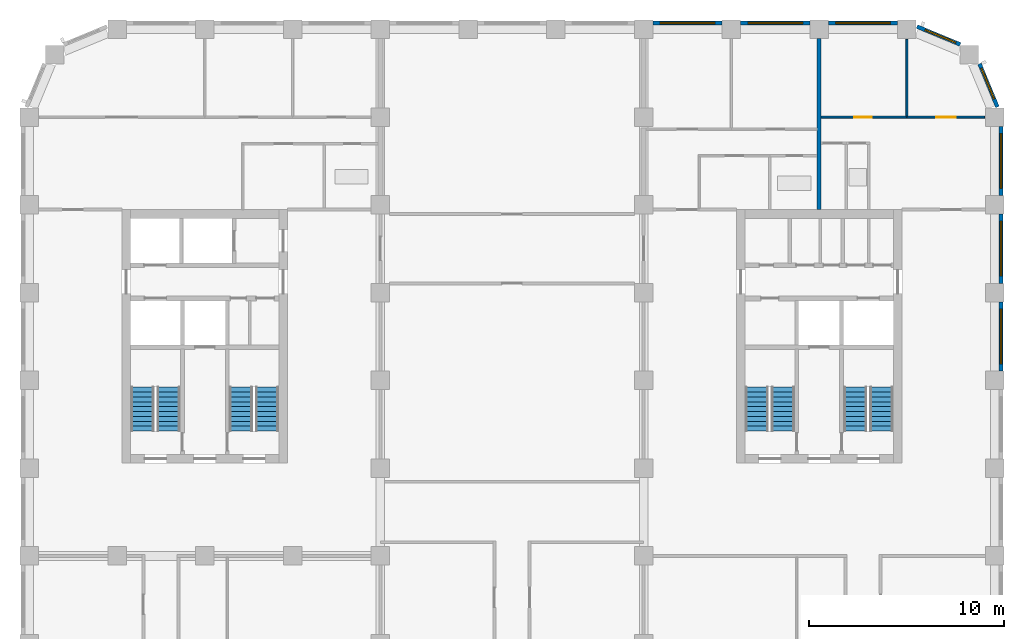
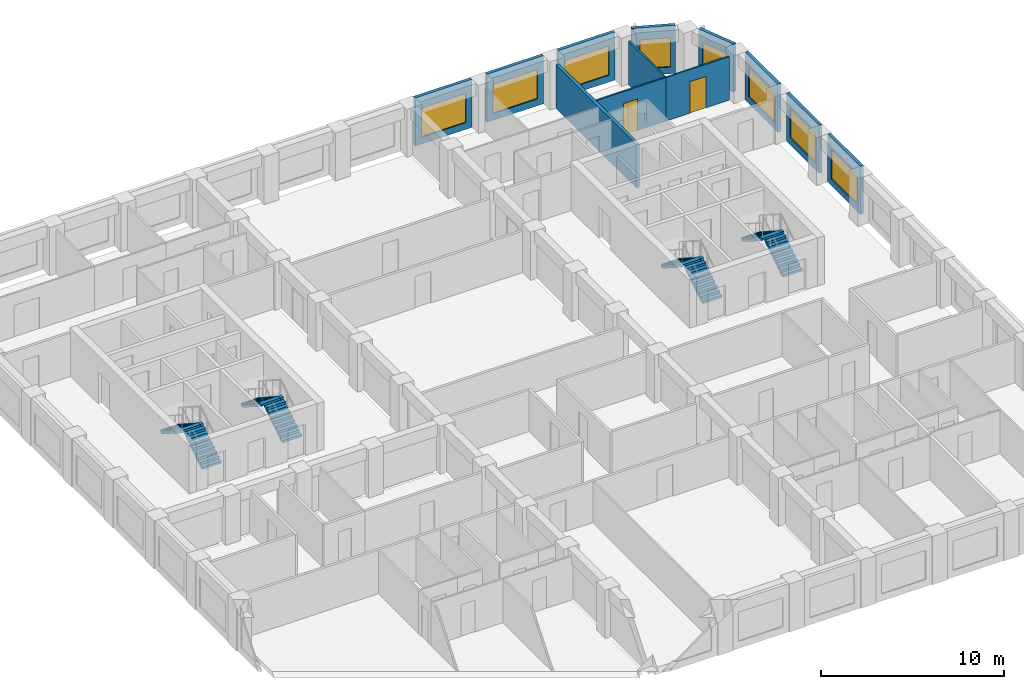
# One storey, part 9 of 12: 12 walls, 8 stair flights, 8 windows, 2 doors, 10 openings, 4 elements without a shape of their own.
"""IFC4 building model written with IfcOpenShell, lengths in metres."""

from ifc_helpers import new_model, si_unit, direction, frame, frame_2d, origin, place, context, subcontext, project, spatial, polyline, rectangle, outline, extrude, material, layer, layer_set, type_object, element, fill, aggregate, save


model = new_model("IFC4")

# Units and contexts
model_context = context("Model", 3, precision=1e-05, world=origin(), true_north=direction((0.0, 1.0)))
body_context = subcontext(model_context, "Body", "Model", "MODEL_VIEW")
ifc_project = project(units=[si_unit("LENGTHUNIT", "METRE"), si_unit("AREAUNIT", "SQUARE_METRE"), si_unit("VOLUMEUNIT", "CUBIC_METRE"), si_unit("PLANEANGLEUNIT", "RADIAN"), si_unit("MASSUNIT", "GRAM", prefix="KILO")], contexts=[model_context])

# Site, building, storey
site_placement = place(None, origin())
site = spatial("IfcSite", under=ifc_project, at=site_placement, CompositionType="ELEMENT")
building_placement = place(site_placement, origin())
building = spatial("IfcBuilding", under=site, at=building_placement, Name="Girih Gate Residences", CompositionType="ELEMENT")
storey_placement = place(building_placement, frame((0.0, 0.0, 139.800048828125)))
storey = spatial("IfcBuildingStorey", under=building, at=storey_placement, Name="L39", CompositionType="ELEMENT", Elevation=139.800048828125)

# Wall, opening, door
ifc_material_1 = material(Name="Gypsum board on steel studs", Category="steel")
ifc_layer_1 = layer(ifc_material_1, 0.10009765625)
ifc_layer_set_1 = layer_set([ifc_layer_1], Name="Partition 100 mm")
wall_type_1 = type_object("IfcWallType", Name="Partition 100 mm", PredefinedType="PARTITIONING", material=ifc_layer_set_1)
wall_1_placement = place(storey_placement, frame((40.60009765625, 45.0, 0.0), z_axis=(0.0, 0.0, 1.0), x_axis=(1.0, 0.0, 0.0)))
wall_1 = element("IfcWall", 1, at=wall_1_placement, inside=storey, type_object=wall_type_1, Name="L39 partition", PredefinedType="PARTITIONING", context=body_context, shape_type="SweptSolid", body=[
    extrude(rectangle(XDim=4.39990234375, YDim=0.10009765625, at=frame_2d((2.199951171875, 0.0))), origin(), (0.0, 0.0, 1.0), 2.89990234375),
])
opening_1_placement = place(wall_1_placement, frame((1.699951171875, 0.0, 0.0)))
opening_1 = element("IfcOpeningElement", 2, at=opening_1_placement, cuts=wall_1, Name="Opening A39-029", PredefinedType="OPENING", context=body_context, shape_type="SweptSolid", body=[
    extrude(rectangle(XDim=0.89990234375, YDim=2.10009765625, at=frame_2d((0.449951171875, 1.050048828125))), frame((0.0, 0.06005859375, 0.0), z_axis=(0.0, -1.0, 0.0), x_axis=(1.0, 0.0, 0.0)), (0.0, 0.0, 1.0), 0.1201171875),
])
ifc_material_2 = material(Name="Timber", Category="wood")
door_type_1 = type_object("IfcDoorType", Name="Bedroom door 900x2100", OperationType="NOTDEFINED", PredefinedType="DOOR", material=ifc_material_2)
door_1_placement = place(opening_1_placement, origin())
door_1 = element("IfcDoor", 3, at=door_1_placement, inside=storey, type_object=door_type_1, Name="Door A39-029", OperationType="SINGLE_SWING_LEFT", OverallHeight=2.10009765625, OverallWidth=0.89990234375, PredefinedType="DOOR", context=body_context, shape_type="SweptSolid", body=[
    extrude(rectangle(XDim=0.89990234375, YDim=2.10009765625, at=frame_2d((0.449951171875, 1.050048828125))), frame((0.0, 0.02490234375, 0.0), z_axis=(0.0, -1.0, 0.0), x_axis=(1.0, 0.0, 0.0)), (0.0, 0.0, 1.0), 0.050048828125),
])
fill(opening_1, door_1)

# Wall
wall_2_placement = place(storey_placement, frame((45.0, 45.050048828125, 0.0), z_axis=(0.0, 0.0, 1.0), x_axis=(0.0, 1.0, 0.0)))
element("IfcWall", 4, at=wall_2_placement, inside=storey, type_object=wall_type_1, Name="L39 partition", PredefinedType="PARTITIONING", context=body_context, shape_type="SweptSolid", body=[
    extrude(rectangle(XDim=3.935791015625, YDim=0.10009765625, at=frame_2d((1.9677734375, 0.0))), origin(), (0.0, 0.0, 1.0), 2.89990234375),
])

# Wall, opening, door
wall_3_placement = place(storey_placement, frame((45.0, 45.0, 0.0), z_axis=(0.0, 0.0, 1.0), x_axis=(1.0, 0.0, 0.0)))
wall_3 = element("IfcWall", 5, at=wall_3_placement, inside=storey, type_object=wall_type_1, Name="L39 partition", PredefinedType="PARTITIONING", context=body_context, shape_type="SweptSolid", body=[
    extrude(rectangle(XDim=3.98583984375, YDim=0.10009765625, at=frame_2d((1.992919921875, 0.0))), origin(), (0.0, 0.0, 1.0), 2.89990234375),
])
opening_2_placement = place(wall_3_placement, frame((1.512451171875, 0.0, 0.0)))
opening_2 = element("IfcOpeningElement", 6, at=opening_2_placement, cuts=wall_3, Name="Opening A39-031", PredefinedType="OPENING", context=body_context, shape_type="SweptSolid", body=[
    extrude(rectangle(XDim=1.0, YDim=2.10009765625, at=frame_2d((0.5, 1.050048828125))), frame((0.0, 0.06005859375, 0.0), z_axis=(0.0, -1.0, 0.0), x_axis=(1.0, 0.0, 0.0)), (0.0, 0.0, 1.0), 0.1201171875),
])
door_type_2 = type_object("IfcDoorType", Name="Living room door 1000x2100", OperationType="NOTDEFINED", PredefinedType="DOOR", material=ifc_material_2)
door_2_placement = place(opening_2_placement, origin())
door_2 = element("IfcDoor", 7, at=door_2_placement, inside=storey, type_object=door_type_2, Name="Door A39-031", OperationType="SINGLE_SWING_RIGHT", OverallHeight=2.10009765625, OverallWidth=1.0, PredefinedType="DOOR", context=body_context, shape_type="SweptSolid", body=[
    extrude(rectangle(XDim=1.0, YDim=2.10009765625, at=frame_2d((0.5, 1.050048828125))), frame((0.0, 0.02490234375, 0.0), z_axis=(0.0, -1.0, 0.0), x_axis=(1.0, 0.0, 0.0)), (0.0, 0.0, 1.0), 0.050048828125),
])
fill(opening_2, door_2)

# Wall
ifc_layer_2 = layer(ifc_material_1, 0.199951171875)
ifc_layer_set_2 = layer_set([ifc_layer_2], Name="Party wall 200 mm")
wall_type_2 = type_object("IfcWallType", Name="Party wall 200 mm", PredefinedType="PARTITIONING", material=ifc_layer_set_2)
wall_4_placement = place(storey_placement, frame((40.5, 40.25, 0.0), z_axis=(0.0, 0.0, 1.0), x_axis=(0.0, 1.0, 0.0)))
element("IfcWall", 8, at=wall_4_placement, inside=storey, type_object=wall_type_2, Name="L39 partition", PredefinedType="PARTITIONING", context=body_context, shape_type="SweptSolid", body=[
    extrude(rectangle(XDim=8.77490234375, YDim=0.199951171875, at=frame_2d((4.387451171875, 0.0))), origin(), (0.0, 0.0, 1.0), 2.89990234375),
])

# Wall, opening, window
ifc_material_3 = material(Name="Precast concrete C50/60", Category="concrete")
ifc_layer_3 = layer(ifc_material_3, 0.06005859375, Name="Outer leaf")
ifc_material_4 = material(Name="Rigid PIR insulation")
ifc_layer_4 = layer(ifc_material_4, 0.090087890625, Name="Insulation")
ifc_material_5 = material(Name="Precast concrete C40/50", Category="concrete")
ifc_layer_5 = layer(ifc_material_5, 0.050048828125, Name="Inner leaf")
ifc_layer_set_3 = layer_set([ifc_layer_3, ifc_layer_4, ifc_layer_5], Name="Precast concrete C50/60 external wall 200")
wall_type_3 = type_object("IfcWallType", Name="Precast concrete C50/60 external wall 200", PredefinedType="SOLIDWALL", material=ifc_layer_set_3)
wall_5_placement = place(storey_placement, frame((49.824951171875, 35.52490234375, 0.0), z_axis=(0.0, 0.0, 1.0), x_axis=(0.0, -1.0, 0.0)))
wall_5 = element("IfcWall", 9, at=wall_5_placement, inside=storey, type_object=wall_type_3, Name="External wall E0495_0045.6", PredefinedType="SOLIDWALL", context=body_context, shape_type="SweptSolid", body=[
    extrude(rectangle(XDim=3.5498046875, YDim=0.199951171875, at=frame_2d((1.77490234375, 0.0))), origin(), (0.0, 0.0, 1.0), 3.199951171875),
])
opening_3_placement = place(wall_5_placement, frame((0.375, 0.0, 0.449951171875)))
opening_3 = element("IfcOpeningElement", 10, at=opening_3_placement, cuts=wall_5, Name="Opening W-1B", PredefinedType="OPENING", context=body_context, shape_type="SweptSolid", body=[
    extrude(rectangle(XDim=2.800048828125, YDim=1.949951171875, at=frame_2d((1.39990234375, 0.97509765625))), frame((0.0, 0.10986328125, 0.0), z_axis=(0.0, -1.0, 0.0), x_axis=(1.0, 0.0, 0.0)), (0.0, 0.0, 1.0), 0.219970703125),
])
ifc_material_6 = material(Name="Double glazing in aluminium frame", Category="aluminium")
window_type_1 = type_object("IfcWindowType", Name="Window W-1B 2800x1950", PartitioningType="SINGLE_PANEL", PredefinedType="WINDOW", material=ifc_material_6)
window_1_placement = place(opening_3_placement, origin())
window_1 = element("IfcWindow", 11, at=window_1_placement, inside=storey, type_object=window_type_1, Name="Window W-1B E0495_0045.6", OverallHeight=1.949951171875, OverallWidth=2.800048828125, PartitioningType="SINGLE_PANEL", PredefinedType="WINDOW", context=body_context, shape_type="SweptSolid", body=[
    extrude(rectangle(XDim=2.800048828125, YDim=1.949951171875, at=frame_2d((1.39990234375, 0.97509765625))), frame((0.0, 0.030029296875, 0.0), z_axis=(0.0, -1.0, 0.0), x_axis=(1.0, 0.0, 0.0)), (0.0, 0.0, 1.0), 0.06005859375),
])
fill(opening_3, window_1)

wall_6_placement = place(storey_placement, frame((49.824951171875, 40.02490234375, 0.0), z_axis=(0.0, 0.0, 1.0), x_axis=(0.0, -1.0, 0.0)))
wall_6 = element("IfcWall", 12, at=wall_6_placement, inside=storey, type_object=wall_type_3, Name="External wall E0495_0045.7", PredefinedType="SOLIDWALL", context=body_context, shape_type="SweptSolid", body=[
    extrude(rectangle(XDim=3.5498046875, YDim=0.199951171875, at=frame_2d((1.77490234375, 0.0))), origin(), (0.0, 0.0, 1.0), 3.199951171875),
])
opening_4_placement = place(wall_6_placement, frame((0.375, 0.0, 0.449951171875)))
opening_4 = element("IfcOpeningElement", 13, at=opening_4_placement, cuts=wall_6, Name="Opening W-1B", PredefinedType="OPENING", context=body_context, shape_type="SweptSolid", body=[
    extrude(rectangle(XDim=2.800048828125, YDim=1.949951171875, at=frame_2d((1.39990234375, 0.97509765625))), frame((0.0, 0.10986328125, 0.0), z_axis=(0.0, -1.0, 0.0), x_axis=(1.0, 0.0, 0.0)), (0.0, 0.0, 1.0), 0.219970703125),
])
window_2_placement = place(opening_4_placement, origin())
window_2 = element("IfcWindow", 14, at=window_2_placement, inside=storey, type_object=window_type_1, Name="Window W-1B E0495_0045.7", OverallHeight=1.949951171875, OverallWidth=2.800048828125, PartitioningType="SINGLE_PANEL", PredefinedType="WINDOW", context=body_context, shape_type="SweptSolid", body=[
    extrude(rectangle(XDim=2.800048828125, YDim=1.949951171875, at=frame_2d((1.39990234375, 0.97509765625))), frame((0.0, 0.030029296875, 0.0), z_axis=(0.0, -1.0, 0.0), x_axis=(1.0, 0.0, 0.0)), (0.0, 0.0, 1.0), 0.06005859375),
])
fill(opening_4, window_2)

wall_7_placement = place(storey_placement, frame((49.824951171875, 44.52490234375, 0.0), z_axis=(0.0, 0.0, 1.0), x_axis=(0.0, -1.0, 0.0)))
wall_7 = element("IfcWall", 15, at=wall_7_placement, inside=storey, type_object=wall_type_3, Name="External wall E0495_0045.8", PredefinedType="SOLIDWALL", context=body_context, shape_type="SweptSolid", body=[
    extrude(rectangle(XDim=3.5498046875, YDim=0.199951171875, at=frame_2d((1.77490234375, 0.0))), origin(), (0.0, 0.0, 1.0), 3.199951171875),
])
opening_5_placement = place(wall_7_placement, frame((0.375, 0.0, 0.449951171875)))
opening_5 = element("IfcOpeningElement", 16, at=opening_5_placement, cuts=wall_7, Name="Opening W-1B", PredefinedType="OPENING", context=body_context, shape_type="SweptSolid", body=[
    extrude(rectangle(XDim=2.800048828125, YDim=1.949951171875, at=frame_2d((1.39990234375, 0.97509765625))), frame((0.0, 0.10986328125, 0.0), z_axis=(0.0, -1.0, 0.0), x_axis=(1.0, 0.0, 0.0)), (0.0, 0.0, 1.0), 0.219970703125),
])
window_3_placement = place(opening_5_placement, origin())
window_3 = element("IfcWindow", 17, at=window_3_placement, inside=storey, type_object=window_type_1, Name="Window W-1B E0495_0045.8", OverallHeight=1.949951171875, OverallWidth=2.800048828125, PartitioningType="SINGLE_PANEL", PredefinedType="WINDOW", context=body_context, shape_type="SweptSolid", body=[
    extrude(rectangle(XDim=2.800048828125, YDim=1.949951171875, at=frame_2d((1.39990234375, 0.97509765625))), frame((0.0, 0.030029296875, 0.0), z_axis=(0.0, -1.0, 0.0), x_axis=(1.0, 0.0, 0.0)), (0.0, 0.0, 1.0), 0.06005859375),
])
fill(opening_5, window_3)

wall_8_placement = place(storey_placement, frame((48.7197265625, 47.73291015625, 0.0), z_axis=(0.0, 0.0, 1.0), x_axis=(0.382680855588, -0.923880599843, 0.0)))
wall_8 = element("IfcWall", 18, at=wall_8_placement, inside=storey, type_object=wall_type_3, Name="External wall NE0495_0450.0", PredefinedType="SOLIDWALL", context=body_context, shape_type="SweptSolid", body=[
    extrude(rectangle(XDim=2.402587890625, YDim=0.199951171875, at=frame_2d((1.201171875, 0.0))), origin(), (0.0, 0.0, 1.0), 3.199951171875),
])
opening_6_placement = place(wall_8_placement, frame((0.25146484375, 0.0, 0.449951171875)))
opening_6 = element("IfcOpeningElement", 19, at=opening_6_placement, cuts=wall_8, Name="Opening W-2E", PredefinedType="OPENING", context=body_context, shape_type="SweptSolid", body=[
    extrude(rectangle(XDim=1.699951171875, YDim=1.949951171875, at=frame_2d((0.85009765625, 0.97509765625))), frame((0.0, 0.10986328125, 0.0), z_axis=(0.0, -1.0, 0.0), x_axis=(1.0, 0.0, 0.0)), (0.0, 0.0, 1.0), 0.219970703125),
])
window_type_2 = type_object("IfcWindowType", Name="Window W-2E 1700x1950", PartitioningType="SINGLE_PANEL", PredefinedType="WINDOW", material=ifc_material_6)
window_4_placement = place(opening_6_placement, origin())
window_4 = element("IfcWindow", 20, at=window_4_placement, inside=storey, type_object=window_type_2, Name="Window W-2E NE0495_0450.0", OverallHeight=1.949951171875, OverallWidth=1.699951171875, PartitioningType="SINGLE_PANEL", PredefinedType="WINDOW", context=body_context, shape_type="SweptSolid", body=[
    extrude(rectangle(XDim=1.699951171875, YDim=1.949951171875, at=frame_2d((0.85009765625, 0.97509765625))), frame((0.0, 0.030029296875, 0.0), z_axis=(0.0, -1.0, 0.0), x_axis=(1.0, 0.0, 0.0)), (0.0, 0.0, 1.0), 0.06005859375),
])
fill(opening_6, window_4)

wall_9_placement = place(storey_placement, frame((45.51318359375, 49.63916015625, 0.0), z_axis=(0.0, 0.0, 1.0), x_axis=(0.923880599843, -0.382680855588, 0.0)))
wall_9 = element("IfcWall", 21, at=wall_9_placement, inside=storey, type_object=wall_type_3, Name="External wall NE0482_0482.0", PredefinedType="SOLIDWALL", context=body_context, shape_type="SweptSolid", body=[
    extrude(rectangle(XDim=2.402587890625, YDim=0.199951171875, at=frame_2d((1.201171875, 0.0))), origin(), (0.0, 0.0, 1.0), 3.199951171875),
])
opening_7_placement = place(wall_9_placement, frame((0.451171875, 0.0, 0.449951171875)))
opening_7 = element("IfcOpeningElement", 22, at=opening_7_placement, cuts=wall_9, Name="Opening W-2E", PredefinedType="OPENING", context=body_context, shape_type="SweptSolid", body=[
    extrude(rectangle(XDim=1.699951171875, YDim=1.949951171875, at=frame_2d((0.85009765625, 0.97509765625))), frame((0.0, 0.10986328125, 0.0), z_axis=(0.0, -1.0, 0.0), x_axis=(1.0, 0.0, 0.0)), (0.0, 0.0, 1.0), 0.219970703125),
])
window_5_placement = place(opening_7_placement, origin())
window_5 = element("IfcWindow", 23, at=window_5_placement, inside=storey, type_object=window_type_2, Name="Window W-2E NE0482_0482.0", OverallHeight=1.949951171875, OverallWidth=1.699951171875, PartitioningType="SINGLE_PANEL", PredefinedType="WINDOW", context=body_context, shape_type="SweptSolid", body=[
    extrude(rectangle(XDim=1.699951171875, YDim=1.949951171875, at=frame_2d((0.85009765625, 0.97509765625))), frame((0.0, 0.030029296875, 0.0), z_axis=(0.0, -1.0, 0.0), x_axis=(1.0, 0.0, 0.0)), (0.0, 0.0, 1.0), 0.06005859375),
])
fill(opening_7, window_5)

wall_10_placement = place(storey_placement, frame((40.97509765625, 49.824951171875, 0.0), z_axis=(0.0, 0.0, 1.0), x_axis=(1.0, 0.0, 0.0)))
wall_10 = element("IfcWall", 24, at=wall_10_placement, inside=storey, type_object=wall_type_3, Name="External wall N0450_0495.0", PredefinedType="SOLIDWALL", context=body_context, shape_type="SweptSolid", body=[
    extrude(rectangle(XDim=3.5498046875, YDim=0.199951171875, at=frame_2d((1.77490234375, 0.0))), origin(), (0.0, 0.0, 1.0), 3.199951171875),
])
opening_8_placement = place(wall_10_placement, frame((0.375, 0.0, 0.449951171875)))
opening_8 = element("IfcOpeningElement", 25, at=opening_8_placement, cuts=wall_10, Name="Opening W-1B", PredefinedType="OPENING", context=body_context, shape_type="SweptSolid", body=[
    extrude(rectangle(XDim=2.800048828125, YDim=1.949951171875, at=frame_2d((1.39990234375, 0.97509765625))), frame((0.0, 0.10986328125, 0.0), z_axis=(0.0, -1.0, 0.0), x_axis=(1.0, 0.0, 0.0)), (0.0, 0.0, 1.0), 0.219970703125),
])
window_6_placement = place(opening_8_placement, origin())
window_6 = element("IfcWindow", 26, at=window_6_placement, inside=storey, type_object=window_type_1, Name="Window W-1B N0450_0495.0", OverallHeight=1.949951171875, OverallWidth=2.800048828125, PartitioningType="SINGLE_PANEL", PredefinedType="WINDOW", context=body_context, shape_type="SweptSolid", body=[
    extrude(rectangle(XDim=2.800048828125, YDim=1.949951171875, at=frame_2d((1.39990234375, 0.97509765625))), frame((0.0, 0.030029296875, 0.0), z_axis=(0.0, -1.0, 0.0), x_axis=(1.0, 0.0, 0.0)), (0.0, 0.0, 1.0), 0.06005859375),
])
fill(opening_8, window_6)

wall_11_placement = place(storey_placement, frame((36.47509765625, 49.824951171875, 0.0), z_axis=(0.0, 0.0, 1.0), x_axis=(1.0, 0.0, 0.0)))
wall_11 = element("IfcWall", 27, at=wall_11_placement, inside=storey, type_object=wall_type_3, Name="External wall N0450_0495.1", PredefinedType="SOLIDWALL", context=body_context, shape_type="SweptSolid", body=[
    extrude(rectangle(XDim=3.5498046875, YDim=0.199951171875, at=frame_2d((1.77490234375, 0.0))), origin(), (0.0, 0.0, 1.0), 3.199951171875),
])
opening_9_placement = place(wall_11_placement, frame((0.375, 0.0, 0.449951171875)))
opening_9 = element("IfcOpeningElement", 28, at=opening_9_placement, cuts=wall_11, Name="Opening W-1B", PredefinedType="OPENING", context=body_context, shape_type="SweptSolid", body=[
    extrude(rectangle(XDim=2.800048828125, YDim=1.949951171875, at=frame_2d((1.39990234375, 0.97509765625))), frame((0.0, 0.10986328125, 0.0), z_axis=(0.0, -1.0, 0.0), x_axis=(1.0, 0.0, 0.0)), (0.0, 0.0, 1.0), 0.219970703125),
])
window_7_placement = place(opening_9_placement, origin())
window_7 = element("IfcWindow", 29, at=window_7_placement, inside=storey, type_object=window_type_1, Name="Window W-1B N0450_0495.1", OverallHeight=1.949951171875, OverallWidth=2.800048828125, PartitioningType="SINGLE_PANEL", PredefinedType="WINDOW", context=body_context, shape_type="SweptSolid", body=[
    extrude(rectangle(XDim=2.800048828125, YDim=1.949951171875, at=frame_2d((1.39990234375, 0.97509765625))), frame((0.0, 0.030029296875, 0.0), z_axis=(0.0, -1.0, 0.0), x_axis=(1.0, 0.0, 0.0)), (0.0, 0.0, 1.0), 0.06005859375),
])
fill(opening_9, window_7)

wall_12_placement = place(storey_placement, frame((31.97509765625, 49.824951171875, 0.0), z_axis=(0.0, 0.0, 1.0), x_axis=(1.0, 0.0, 0.0)))
wall_12 = element("IfcWall", 30, at=wall_12_placement, inside=storey, type_object=wall_type_3, Name="External wall N0450_0495.2", PredefinedType="SOLIDWALL", context=body_context, shape_type="SweptSolid", body=[
    extrude(rectangle(XDim=3.5498046875, YDim=0.199951171875, at=frame_2d((1.77490234375, 0.0))), origin(), (0.0, 0.0, 1.0), 3.199951171875),
])
opening_10_placement = place(wall_12_placement, frame((0.375, 0.0, 0.449951171875)))
opening_10 = element("IfcOpeningElement", 31, at=opening_10_placement, cuts=wall_12, Name="Opening W-1B", PredefinedType="OPENING", context=body_context, shape_type="SweptSolid", body=[
    extrude(rectangle(XDim=2.800048828125, YDim=1.949951171875, at=frame_2d((1.39990234375, 0.97509765625))), frame((0.0, 0.10986328125, 0.0), z_axis=(0.0, -1.0, 0.0), x_axis=(1.0, 0.0, 0.0)), (0.0, 0.0, 1.0), 0.219970703125),
])
window_8_placement = place(opening_10_placement, origin())
window_8 = element("IfcWindow", 32, at=window_8_placement, inside=storey, type_object=window_type_1, Name="Window W-1B N0450_0495.2", OverallHeight=1.949951171875, OverallWidth=2.800048828125, PartitioningType="SINGLE_PANEL", PredefinedType="WINDOW", context=body_context, shape_type="SweptSolid", body=[
    extrude(rectangle(XDim=2.800048828125, YDim=1.949951171875, at=frame_2d((1.39990234375, 0.97509765625))), frame((0.0, 0.030029296875, 0.0), z_axis=(0.0, -1.0, 0.0), x_axis=(1.0, 0.0, 0.0)), (0.0, 0.0, 1.0), 0.06005859375),
])
fill(opening_10, window_8)

# Stair, stair flights
ifc_material_7 = material(Name="Concrete C40/50", Category="concrete")
stair_type = type_object("IfcStairType", Name="Exit stair", PredefinedType="HALF_TURN_STAIR", material=ifc_material_7)
stair_1_placement = place(storey_placement, origin())
stair_1 = element("IfcStair", 33, at=stair_1_placement, inside=storey, type_object=stair_type, Name="L39 Exit Stair ST-W1", PredefinedType="HALF_TURN_STAIR")
stair_flight_type = type_object("IfcStairFlightType", Name="Stair flight 1200", PredefinedType="STRAIGHT", material=ifc_material_7)
stair_flight_1_placement = place(storey_placement, frame((7.14990234375, 28.89990234375, 0.0), z_axis=(0.0, 0.0, 1.0), x_axis=(0.0, 1.0, 0.0)))
stair_flight_1 = element("IfcStairFlight", 34, at=stair_flight_1_placement, type_object=stair_flight_type, Name="ST-W1 flight 1", NumberOfRisers=10, NumberOfTreads=9, PredefinedType="STRAIGHT", RiserHeight=0.16, TreadLength=0.25, context=body_context, shape_type="SweptSolid", body=[
    extrude(outline(polyline([(0.0, 0.0), (0.0, 0.159912109375), (0.25, 0.159912109375), (0.25, 0.320068359375), (0.5, 0.320068359375), (0.5, 0.47998046875), (0.75, 0.47998046875), (0.75, 0.639892578125), (1.0, 0.639892578125), (1.0, 0.800048828125), (1.25, 0.800048828125), (1.25, 0.9599609375), (1.5, 0.9599609375), (1.5, 1.1201171875), (1.75, 1.1201171875), (1.75, 1.280029296875), (2.0, 1.280029296875), (2.0, 1.43994140625), (2.25, 1.43994140625), (2.25, 1.60009765625), (2.25, 1.29736328125), (0.222900390625, 0.0), (0.0, 0.0)])), frame((0.0, 0.60009765625, 0.0), z_axis=(0.0, -1.0, 0.0), x_axis=(1.0, 0.0, 0.0)), (0.0, 0.0, 1.0), 1.199951171875),
])
stair_flight_2_placement = place(storey_placement, frame((5.800048828125, 31.14990234375, 1.599853515625), z_axis=(0.0, 0.0, 1.0), x_axis=(0.0, -1.0, 0.0)))
stair_flight_2 = element("IfcStairFlight", 35, at=stair_flight_2_placement, type_object=stair_flight_type, Name="ST-W1 flight 2", NumberOfRisers=10, NumberOfTreads=9, PredefinedType="STRAIGHT", RiserHeight=0.16, TreadLength=0.25, context=body_context, shape_type="SweptSolid", body=[
    extrude(outline(polyline([(0.0, 0.0), (0.0, 0.159912109375), (0.25, 0.159912109375), (0.25, 0.320068359375), (0.5, 0.320068359375), (0.5, 0.47998046875), (0.75, 0.47998046875), (0.75, 0.639892578125), (1.0, 0.639892578125), (1.0, 0.800048828125), (1.25, 0.800048828125), (1.25, 0.9599609375), (1.5, 0.9599609375), (1.5, 1.1201171875), (1.75, 1.1201171875), (1.75, 1.280029296875), (2.0, 1.280029296875), (2.0, 1.43994140625), (2.25, 1.43994140625), (2.25, 1.60009765625), (2.25, 1.29736328125), (0.222900390625, 0.0), (0.0, 0.0)])), frame((0.0, 0.60009765625, 0.0), z_axis=(0.0, -1.0, 0.0), x_axis=(1.0, 0.0, 0.0)), (0.0, 0.0, 1.0), 1.199951171875),
])
aggregate(stair_1, [stair_flight_1, stair_flight_2])

stair_2_placement = place(storey_placement, origin())
stair_2 = element("IfcStair", 36, at=stair_2_placement, inside=storey, type_object=stair_type, Name="L39 Exit Stair ST-W2", PredefinedType="HALF_TURN_STAIR")
stair_flight_3_placement = place(storey_placement, frame((12.199951171875, 28.89990234375, 0.0), z_axis=(0.0, 0.0, 1.0), x_axis=(0.0, 1.0, 0.0)))
stair_flight_3 = element("IfcStairFlight", 37, at=stair_flight_3_placement, type_object=stair_flight_type, Name="ST-W2 flight 1", NumberOfRisers=10, NumberOfTreads=9, PredefinedType="STRAIGHT", RiserHeight=0.16, TreadLength=0.25, context=body_context, shape_type="SweptSolid", body=[
    extrude(outline(polyline([(0.0, 0.0), (0.0, 0.159912109375), (0.25, 0.159912109375), (0.25, 0.320068359375), (0.5, 0.320068359375), (0.5, 0.47998046875), (0.75, 0.47998046875), (0.75, 0.639892578125), (1.0, 0.639892578125), (1.0, 0.800048828125), (1.25, 0.800048828125), (1.25, 0.9599609375), (1.5, 0.9599609375), (1.5, 1.1201171875), (1.75, 1.1201171875), (1.75, 1.280029296875), (2.0, 1.280029296875), (2.0, 1.43994140625), (2.25, 1.43994140625), (2.25, 1.60009765625), (2.25, 1.29736328125), (0.222900390625, 0.0), (0.0, 0.0)])), frame((0.0, 0.60009765625, 0.0), z_axis=(0.0, -1.0, 0.0), x_axis=(1.0, 0.0, 0.0)), (0.0, 0.0, 1.0), 1.199951171875),
])
stair_flight_4_placement = place(storey_placement, frame((10.85009765625, 31.14990234375, 1.599853515625), z_axis=(0.0, 0.0, 1.0), x_axis=(0.0, -1.0, 0.0)))
stair_flight_4 = element("IfcStairFlight", 38, at=stair_flight_4_placement, type_object=stair_flight_type, Name="ST-W2 flight 2", NumberOfRisers=10, NumberOfTreads=9, PredefinedType="STRAIGHT", RiserHeight=0.16, TreadLength=0.25, context=body_context, shape_type="SweptSolid", body=[
    extrude(outline(polyline([(0.0, 0.0), (0.0, 0.159912109375), (0.25, 0.159912109375), (0.25, 0.320068359375), (0.5, 0.320068359375), (0.5, 0.47998046875), (0.75, 0.47998046875), (0.75, 0.639892578125), (1.0, 0.639892578125), (1.0, 0.800048828125), (1.25, 0.800048828125), (1.25, 0.9599609375), (1.5, 0.9599609375), (1.5, 1.1201171875), (1.75, 1.1201171875), (1.75, 1.280029296875), (2.0, 1.280029296875), (2.0, 1.43994140625), (2.25, 1.43994140625), (2.25, 1.60009765625), (2.25, 1.29736328125), (0.222900390625, 0.0), (0.0, 0.0)])), frame((0.0, 0.60009765625, 0.0), z_axis=(0.0, -1.0, 0.0), x_axis=(1.0, 0.0, 0.0)), (0.0, 0.0, 1.0), 1.199951171875),
])
aggregate(stair_2, [stair_flight_3, stair_flight_4])

stair_3_placement = place(storey_placement, origin())
stair_3 = element("IfcStair", 39, at=stair_3_placement, inside=storey, type_object=stair_type, Name="L39 Exit Stair ST-E1", PredefinedType="HALF_TURN_STAIR")
stair_flight_5_placement = place(storey_placement, frame((43.699951171875, 28.89990234375, 0.0), z_axis=(0.0, 0.0, 1.0), x_axis=(0.0, 1.0, 0.0)))
stair_flight_5 = element("IfcStairFlight", 40, at=stair_flight_5_placement, type_object=stair_flight_type, Name="ST-E1 flight 1", NumberOfRisers=10, NumberOfTreads=9, PredefinedType="STRAIGHT", RiserHeight=0.16, TreadLength=0.25, context=body_context, shape_type="SweptSolid", body=[
    extrude(outline(polyline([(0.0, 0.0), (0.0, 0.159912109375), (0.25, 0.159912109375), (0.25, 0.320068359375), (0.5, 0.320068359375), (0.5, 0.47998046875), (0.75, 0.47998046875), (0.75, 0.639892578125), (1.0, 0.639892578125), (1.0, 0.800048828125), (1.25, 0.800048828125), (1.25, 0.9599609375), (1.5, 0.9599609375), (1.5, 1.1201171875), (1.75, 1.1201171875), (1.75, 1.280029296875), (2.0, 1.280029296875), (2.0, 1.43994140625), (2.25, 1.43994140625), (2.25, 1.60009765625), (2.25, 1.29736328125), (0.222900390625, 0.0), (0.0, 0.0)])), frame((0.0, 0.60009765625, 0.0), z_axis=(0.0, -1.0, 0.0), x_axis=(1.0, 0.0, 0.0)), (0.0, 0.0, 1.0), 1.199951171875),
])
stair_flight_6_placement = place(storey_placement, frame((42.35009765625, 31.14990234375, 1.599853515625), z_axis=(0.0, 0.0, 1.0), x_axis=(0.0, -1.0, 0.0)))
stair_flight_6 = element("IfcStairFlight", 41, at=stair_flight_6_placement, type_object=stair_flight_type, Name="ST-E1 flight 2", NumberOfRisers=10, NumberOfTreads=9, PredefinedType="STRAIGHT", RiserHeight=0.16, TreadLength=0.25, context=body_context, shape_type="SweptSolid", body=[
    extrude(outline(polyline([(0.0, 0.0), (0.0, 0.159912109375), (0.25, 0.159912109375), (0.25, 0.320068359375), (0.5, 0.320068359375), (0.5, 0.47998046875), (0.75, 0.47998046875), (0.75, 0.639892578125), (1.0, 0.639892578125), (1.0, 0.800048828125), (1.25, 0.800048828125), (1.25, 0.9599609375), (1.5, 0.9599609375), (1.5, 1.1201171875), (1.75, 1.1201171875), (1.75, 1.280029296875), (2.0, 1.280029296875), (2.0, 1.43994140625), (2.25, 1.43994140625), (2.25, 1.60009765625), (2.25, 1.29736328125), (0.222900390625, 0.0), (0.0, 0.0)])), frame((0.0, 0.60009765625, 0.0), z_axis=(0.0, -1.0, 0.0), x_axis=(1.0, 0.0, 0.0)), (0.0, 0.0, 1.0), 1.199951171875),
])
aggregate(stair_3, [stair_flight_5, stair_flight_6])

stair_4_placement = place(storey_placement, origin())
stair_4 = element("IfcStair", 42, at=stair_4_placement, inside=storey, type_object=stair_type, Name="L39 Exit Stair ST-E2", PredefinedType="HALF_TURN_STAIR")
stair_flight_7_placement = place(storey_placement, frame((38.64990234375, 28.89990234375, 0.0), z_axis=(0.0, 0.0, 1.0), x_axis=(0.0, 1.0, 0.0)))
stair_flight_7 = element("IfcStairFlight", 43, at=stair_flight_7_placement, type_object=stair_flight_type, Name="ST-E2 flight 1", NumberOfRisers=10, NumberOfTreads=9, PredefinedType="STRAIGHT", RiserHeight=0.16, TreadLength=0.25, context=body_context, shape_type="SweptSolid", body=[
    extrude(outline(polyline([(0.0, 0.0), (0.0, 0.159912109375), (0.25, 0.159912109375), (0.25, 0.320068359375), (0.5, 0.320068359375), (0.5, 0.47998046875), (0.75, 0.47998046875), (0.75, 0.639892578125), (1.0, 0.639892578125), (1.0, 0.800048828125), (1.25, 0.800048828125), (1.25, 0.9599609375), (1.5, 0.9599609375), (1.5, 1.1201171875), (1.75, 1.1201171875), (1.75, 1.280029296875), (2.0, 1.280029296875), (2.0, 1.43994140625), (2.25, 1.43994140625), (2.25, 1.60009765625), (2.25, 1.29736328125), (0.222900390625, 0.0), (0.0, 0.0)])), frame((0.0, 0.60009765625, 0.0), z_axis=(0.0, -1.0, 0.0), x_axis=(1.0, 0.0, 0.0)), (0.0, 0.0, 1.0), 1.199951171875),
])
stair_flight_8_placement = place(storey_placement, frame((37.300048828125, 31.14990234375, 1.599853515625), z_axis=(0.0, 0.0, 1.0), x_axis=(0.0, -1.0, 0.0)))
stair_flight_8 = element("IfcStairFlight", 44, at=stair_flight_8_placement, type_object=stair_flight_type, Name="ST-E2 flight 2", NumberOfRisers=10, NumberOfTreads=9, PredefinedType="STRAIGHT", RiserHeight=0.16, TreadLength=0.25, context=body_context, shape_type="SweptSolid", body=[
    extrude(outline(polyline([(0.0, 0.0), (0.0, 0.159912109375), (0.25, 0.159912109375), (0.25, 0.320068359375), (0.5, 0.320068359375), (0.5, 0.47998046875), (0.75, 0.47998046875), (0.75, 0.639892578125), (1.0, 0.639892578125), (1.0, 0.800048828125), (1.25, 0.800048828125), (1.25, 0.9599609375), (1.5, 0.9599609375), (1.5, 1.1201171875), (1.75, 1.1201171875), (1.75, 1.280029296875), (2.0, 1.280029296875), (2.0, 1.43994140625), (2.25, 1.43994140625), (2.25, 1.60009765625), (2.25, 1.29736328125), (0.222900390625, 0.0), (0.0, 0.0)])), frame((0.0, 0.60009765625, 0.0), z_axis=(0.0, -1.0, 0.0), x_axis=(1.0, 0.0, 0.0)), (0.0, 0.0, 1.0), 1.199951171875),
])
aggregate(stair_4, [stair_flight_7, stair_flight_8])

save(model, "model.ifc")
